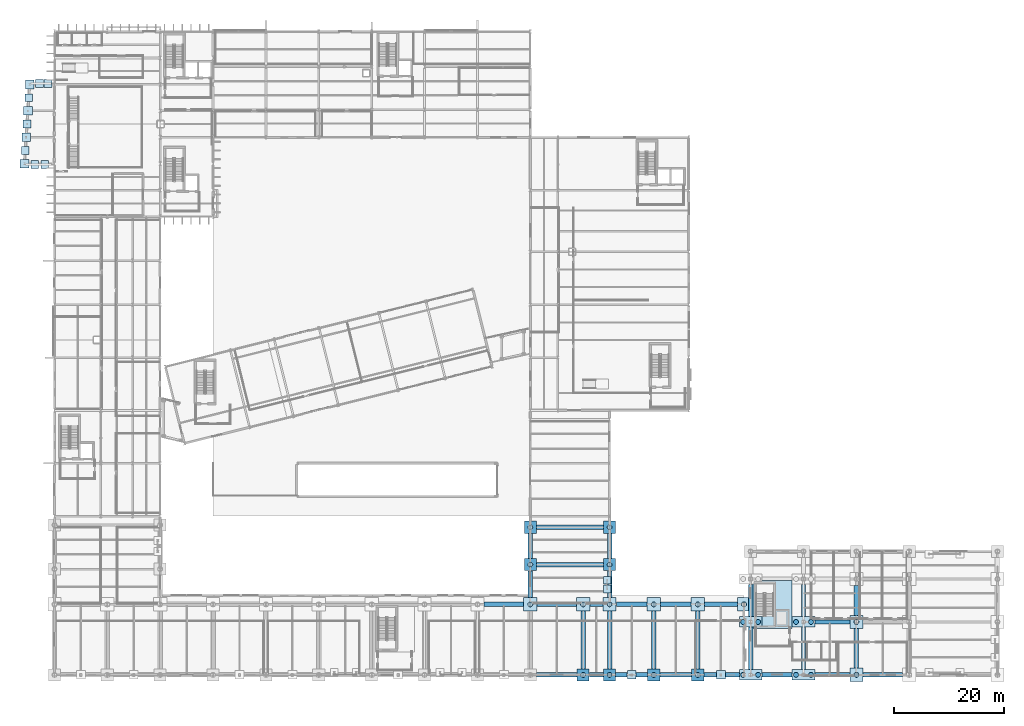
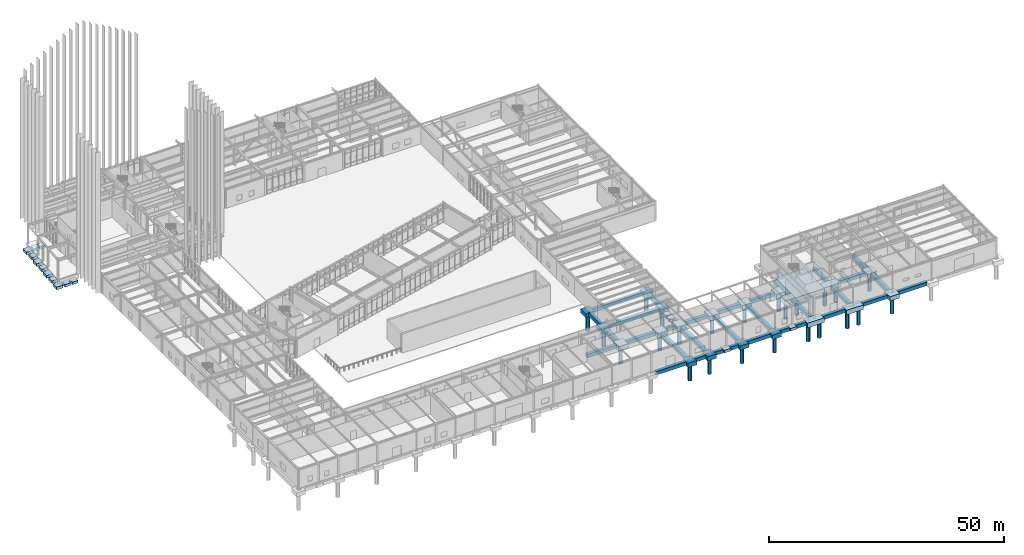
# One storey, part 2 of 109: 69 footings, 24 piles.
"""IFC4 building model written with IfcOpenShell, lengths in metres."""

from ifc_helpers import new_model, si_unit, direction, frame, origin, origin_2d, place, context, subcontext, project, spatial, polyline, rectangle, circle, outline, extrude, material, material_profile, profile_set, type_object, element, save


model = new_model("IFC4")

# Units and contexts
model_context = context("Model", 3, precision=1e-05, world=origin(), true_north=direction((0.0, 1.0)))
body_context = subcontext(model_context, "Body", "Model", "MODEL_VIEW")
ifc_project = project(units=[si_unit("LENGTHUNIT", "METRE"), si_unit("AREAUNIT", "SQUARE_METRE"), si_unit("VOLUMEUNIT", "CUBIC_METRE"), si_unit("PLANEANGLEUNIT", "RADIAN"), si_unit("MASSUNIT", "GRAM", prefix="KILO")], contexts=[model_context])

# Site, building, storey
site_placement = place(None, origin())
site = spatial("IfcSite", under=ifc_project, at=site_placement, CompositionType="ELEMENT")
building_placement = place(site_placement, origin())
building = spatial("IfcBuilding", under=site, at=building_placement, Name="Nordkorset Police Headquarters", CompositionType="ELEMENT")
storey_placement = place(building_placement, origin())
storey = spatial("IfcBuildingStorey", under=building, at=storey_placement, Name="L00", CompositionType="ELEMENT", Elevation=0.0)

# Piles
ifc_material_1 = material(Name="Concrete C45/55", Category="concrete")
ifc_material_profile = material_profile(ifc_material_1, circle(Radius=0.449951171875, at=origin_2d()), Name="PILE D900")
ifc_profile_set = profile_set([ifc_material_profile], Name="Concrete C45/55")
pile_type = type_object("IfcPileType", Name="Bored_PILE_D900", PredefinedType="BORED", material=ifc_profile_set)
for number, where, z_axis, x_axis, name in (
    (1, (125.0400390625, 0.0, -1.3701171875), (0.0, 0.0, -1.0), (1.0, 0.0, 0.0), "Rock-Socketed Bored Pile V6_Y0_0-1"),
    (2, (127.760009765625, 0.0, -1.3701171875), (0.0, 0.0, -1.0), (1.0, 0.0, 0.0), "Rock-Socketed Bored Pile V6_Y0_0-2"),
    (3, (125.0400390625, 9.60009765625, -1.3701171875), (0.0, 0.0, -1.0), (1.0, 0.0, 0.0), "Rock-Socketed Bored Pile V6_Y1_0-1"),
    (4, (127.760009765625, 9.60009765625, -1.3701171875), (0.0, 0.0, -1.0), (1.0, 0.0, 0.0), "Rock-Socketed Bored Pile V6_Y1_0-2"),
    (5, (134.639892578125, 0.0, -1.3701171875), (0.0, 0.0, -1.0), (1.0, 0.0, 0.0), "Rock-Socketed Bored Pile V6_Y0_1-1"),
    (6, (137.360107421875, 0.0, -1.3701171875), (0.0, 0.0, -1.0), (1.0, 0.0, 0.0), "Rock-Socketed Bored Pile V6_Y0_1-2"),
    (7, (134.639892578125, 9.60009765625, -1.3701171875), (0.0, 0.0, -1.0), (1.0, 0.0, 0.0), "Rock-Socketed Bored Pile V6_Y1_1-1"),
    (8, (137.360107421875, 9.60009765625, -1.3701171875), (0.0, 0.0, -1.0), (1.0, 0.0, 0.0), "Rock-Socketed Bored Pile V6_Y1_1-2"),
):
    element("IfcPile", number, at=place(storey_placement, frame(where, z_axis=z_axis, x_axis=x_axis)), inside=storey, type_object=pile_type, Name=name, PredefinedType="BORED", context=body_context, shape_type="SweptSolid", body=[
        extrude(circle(Radius=0.449951171875, at=origin_2d()), origin(), (0.0, 0.0, 1.0), 4.22998046875),
    ])
for number, where, z_axis, x_axis, name in (
    (9, (145.60009765625, 0.0, -1.320068359375), (0.0, 0.0, -1.0), (1.0, 0.0, 0.0), "Rock-Socketed Bored Pile V6_Y0_2-1"),
    (10, (145.60009765625, 9.60009765625, -1.320068359375), (0.0, 0.0, -1.0), (1.0, 0.0, 0.0), "Rock-Socketed Bored Pile V6_Y1_2-1"),
    (11, (86.39990234375, 12.800048828125, -1.320068359375), (0.0, 0.0, -1.0), (1.0, 0.0, 0.0), "Rock-Socketed Bored Pile V7_S1_9-1"),
):
    element("IfcPile", number, at=place(storey_placement, frame(where, z_axis=z_axis, x_axis=x_axis)), inside=storey, type_object=pile_type, Name=name, PredefinedType="BORED", context=body_context, shape_type="SweptSolid", body=[
        extrude(circle(Radius=0.449951171875, at=origin_2d()), origin(), (0.0, 0.0, 1.0), 4.280029296875),
    ])
pile_1_placement = place(storey_placement, frame((96.0, 0.0, -1.27001953125), z_axis=(0.0, 0.0, -1.0), x_axis=(1.0, 0.0, 0.0)))
element("IfcPile", 12, at=pile_1_placement, inside=storey, type_object=pile_type, Name="Rock-Socketed Bored Pile V7_S0_10-1", PredefinedType="BORED", context=body_context, shape_type="SweptSolid", body=[
    extrude(circle(Radius=0.449951171875, at=origin_2d()), origin(), (0.0, 0.0, 1.0), 4.330078125),
])
pile_2_placement = place(storey_placement, frame((96.0, 12.800048828125, -1.320068359375), z_axis=(0.0, 0.0, -1.0), x_axis=(1.0, 0.0, 0.0)))
element("IfcPile", 13, at=pile_2_placement, inside=storey, type_object=pile_type, Name="Rock-Socketed Bored Pile V7_S1_10-1", PredefinedType="BORED", context=body_context, shape_type="SweptSolid", body=[
    extrude(circle(Radius=0.449951171875, at=origin_2d()), origin(), (0.0, 0.0, 1.0), 4.280029296875),
])
pile_3_placement = place(storey_placement, frame((100.800048828125, 0.0, -1.27001953125), z_axis=(0.0, 0.0, -1.0), x_axis=(1.0, 0.0, 0.0)))
element("IfcPile", 14, at=pile_3_placement, inside=storey, type_object=pile_type, Name="Rock-Socketed Bored Pile V7_S0_11-1", PredefinedType="BORED", context=body_context, shape_type="SweptSolid", body=[
    extrude(circle(Radius=0.449951171875, at=origin_2d()), origin(), (0.0, 0.0, 1.0), 4.330078125),
])
pile_4_placement = place(storey_placement, frame((100.800048828125, 12.800048828125, -1.320068359375), z_axis=(0.0, 0.0, -1.0), x_axis=(1.0, 0.0, 0.0)))
element("IfcPile", 15, at=pile_4_placement, inside=storey, type_object=pile_type, Name="Rock-Socketed Bored Pile V7_S1_11-1", PredefinedType="BORED", context=body_context, shape_type="SweptSolid", body=[
    extrude(circle(Radius=0.449951171875, at=origin_2d()), origin(), (0.0, 0.0, 1.0), 4.280029296875),
])
pile_5_placement = place(storey_placement, frame((108.800048828125, 0.0, -1.27001953125), z_axis=(0.0, 0.0, -1.0), x_axis=(1.0, 0.0, 0.0)))
element("IfcPile", 16, at=pile_5_placement, inside=storey, type_object=pile_type, Name="Rock-Socketed Bored Pile V7_S0_12-1", PredefinedType="BORED", context=body_context, shape_type="SweptSolid", body=[
    extrude(circle(Radius=0.449951171875, at=origin_2d()), origin(), (0.0, 0.0, 1.0), 4.330078125),
])
pile_6_placement = place(storey_placement, frame((108.800048828125, 12.800048828125, -1.320068359375), z_axis=(0.0, 0.0, -1.0), x_axis=(1.0, 0.0, 0.0)))
element("IfcPile", 17, at=pile_6_placement, inside=storey, type_object=pile_type, Name="Rock-Socketed Bored Pile V7_S1_12-1", PredefinedType="BORED", context=body_context, shape_type="SweptSolid", body=[
    extrude(circle(Radius=0.449951171875, at=origin_2d()), origin(), (0.0, 0.0, 1.0), 4.280029296875),
])
pile_7_placement = place(storey_placement, frame((116.800048828125, 0.0, -1.27001953125), z_axis=(0.0, 0.0, -1.0), x_axis=(1.0, 0.0, 0.0)))
element("IfcPile", 18, at=pile_7_placement, inside=storey, type_object=pile_type, Name="Rock-Socketed Bored Pile V7_S0_13-1", PredefinedType="BORED", context=body_context, shape_type="SweptSolid", body=[
    extrude(circle(Radius=0.449951171875, at=origin_2d()), origin(), (0.0, 0.0, 1.0), 4.330078125),
])
for number, where, z_axis, x_axis, name in (
    (19, (116.800048828125, 12.800048828125, -1.320068359375), (0.0, 0.0, -1.0), (1.0, 0.0, 0.0), "Rock-Socketed Bored Pile V7_S1_13-1"),
    (20, (125.199951171875, 12.800048828125, -1.320068359375), (0.0, 0.0, -1.0), (1.0, 0.0, 0.0), "Rock-Socketed Bored Pile V7_S1_14-1"),
):
    element("IfcPile", number, at=place(storey_placement, frame(where, z_axis=z_axis, x_axis=x_axis)), inside=storey, type_object=pile_type, Name=name, PredefinedType="BORED", context=body_context, shape_type="SweptSolid", body=[
        extrude(circle(Radius=0.449951171875, at=origin_2d()), origin(), (0.0, 0.0, 1.0), 4.280029296875),
    ])
for number, where, z_axis, x_axis, name in (
    (21, (86.39990234375, 20.0, -1.27001953125), (0.0, 0.0, -1.0), (1.0, 0.0, 0.0), "Rock-Socketed Bored Pile V7_EC_0_200-1"),
    (22, (100.800048828125, 20.0, -1.27001953125), (0.0, 0.0, -1.0), (1.0, 0.0, 0.0), "Rock-Socketed Bored Pile V7_EC_1_200-1"),
    (23, (86.39990234375, 26.800048828125, -1.27001953125), (0.0, 0.0, -1.0), (1.0, 0.0, 0.0), "Rock-Socketed Bored Pile V7_EC_0_268-1"),
    (24, (100.800048828125, 26.800048828125, -1.27001953125), (0.0, 0.0, -1.0), (1.0, 0.0, 0.0), "Rock-Socketed Bored Pile V7_EC_1_268-1"),
):
    element("IfcPile", number, at=place(storey_placement, frame(where, z_axis=z_axis, x_axis=x_axis)), inside=storey, type_object=pile_type, Name=name, PredefinedType="BORED", context=body_context, shape_type="SweptSolid", body=[
        extrude(circle(Radius=0.449951171875, at=origin_2d()), origin(), (0.0, 0.0, 1.0), 4.330078125),
    ])

# Footings
ifc_material_2 = material(Name="Concrete C35/45", Category="concrete")
footing_type_1 = type_object("IfcFootingType", Name="Cap_2200x2200x1100", PredefinedType="PILE_CAP", material=ifc_material_2)
for number, where, z_axis, x_axis, name in (
    (25, (96.0, 0.0, -1.3701171875), (0.0, 0.0, 1.0), (1.0, 0.0, 0.0), "Reinforced Concrete Pile Cap V7_S0_10"),
    (26, (100.800048828125, 0.0, -1.3701171875), (0.0, 0.0, 1.0), (1.0, 0.0, 0.0), "Reinforced Concrete Pile Cap V7_S0_11"),
    (27, (108.800048828125, 0.0, -1.3701171875), (0.0, 0.0, 1.0), (1.0, 0.0, 0.0), "Reinforced Concrete Pile Cap V7_S0_12"),
    (28, (116.800048828125, 0.0, -1.3701171875), (0.0, 0.0, 1.0), (1.0, 0.0, 0.0), "Reinforced Concrete Pile Cap V7_S0_13"),
    (29, (86.39990234375, 20.0, -1.3701171875), (0.0, 0.0, 1.0), (1.0, 0.0, 0.0), "Reinforced Concrete Pile Cap V7_EC_0_200"),
    (30, (100.800048828125, 20.0, -1.3701171875), (0.0, 0.0, 1.0), (1.0, 0.0, 0.0), "Reinforced Concrete Pile Cap V7_EC_1_200"),
    (31, (86.39990234375, 26.800048828125, -1.3701171875), (0.0, 0.0, 1.0), (1.0, 0.0, 0.0), "Reinforced Concrete Pile Cap V7_EC_0_268"),
    (32, (100.800048828125, 26.800048828125, -1.3701171875), (0.0, 0.0, 1.0), (1.0, 0.0, 0.0), "Reinforced Concrete Pile Cap V7_EC_1_268"),
):
    element("IfcFooting", number, at=place(storey_placement, frame(where, z_axis=z_axis, x_axis=x_axis)), inside=storey, type_object=footing_type_1, Name=name, PredefinedType="PILE_CAP", context=body_context, shape_type="SweptSolid", body=[
        extrude(rectangle(XDim=2.199951171875, YDim=2.199951171875, at=origin_2d()), origin(), (0.0, 0.0, 1.0), 1.10009765625),
    ])
ifc_material_3 = material(Name="Concrete C35/45", Category="concrete")
footing_type_2 = type_object("IfcFootingType", Name="Cap_2400x2400x1150", PredefinedType="PILE_CAP", material=ifc_material_3)
for number, where, z_axis, x_axis, name in (
    (33, (145.60009765625, 0.0, -1.419921875), (0.0, 0.0, 1.0), (1.0, 0.0, 0.0), "Reinforced Concrete Pile Cap V6_Y0_2"),
    (34, (145.60009765625, 9.60009765625, -1.419921875), (0.0, 0.0, 1.0), (1.0, 0.0, 0.0), "Reinforced Concrete Pile Cap V6_Y1_2"),
    (35, (86.39990234375, 12.800048828125, -1.419921875), (0.0, 0.0, 1.0), (1.0, 0.0, 0.0), "Reinforced Concrete Pile Cap V7_S1_9"),
    (36, (96.0, 12.800048828125, -1.419921875), (0.0, 0.0, 1.0), (1.0, 0.0, 0.0), "Reinforced Concrete Pile Cap V7_S1_10"),
    (37, (100.800048828125, 12.800048828125, -1.419921875), (0.0, 0.0, 1.0), (1.0, 0.0, 0.0), "Reinforced Concrete Pile Cap V7_S1_11"),
    (38, (108.800048828125, 12.800048828125, -1.419921875), (0.0, 0.0, 1.0), (1.0, 0.0, 0.0), "Reinforced Concrete Pile Cap V7_S1_12"),
    (39, (116.800048828125, 12.800048828125, -1.419921875), (0.0, 0.0, 1.0), (1.0, 0.0, 0.0), "Reinforced Concrete Pile Cap V7_S1_13"),
    (40, (125.199951171875, 12.800048828125, -1.419921875), (0.0, 0.0, 1.0), (1.0, 0.0, 0.0), "Reinforced Concrete Pile Cap V7_S1_14"),
):
    element("IfcFooting", number, at=place(storey_placement, frame(where, z_axis=z_axis, x_axis=x_axis)), inside=storey, type_object=footing_type_2, Name=name, PredefinedType="PILE_CAP", context=body_context, shape_type="SweptSolid", body=[
        extrude(rectangle(XDim=2.39990234375, YDim=2.39990234375, at=origin_2d()), origin(), (0.0, 0.0, 1.0), 1.14990234375),
    ])
ifc_material_4 = material(Name="Concrete C35/45", Category="concrete")
footing_type_3 = type_object("IfcFootingType", Name="Cap_3800x1900x1200", PredefinedType="PILE_CAP", material=ifc_material_4)
for number, where, z_axis, x_axis, name in (
    (41, (126.39990234375, 0.0, -1.47021484375), (0.0, 0.0, 1.0), (1.0, 0.0, 0.0), "Reinforced Concrete Pile Cap V6_Y0_0"),
    (42, (126.39990234375, 9.60009765625, -1.47021484375), (0.0, 0.0, 1.0), (1.0, 0.0, 0.0), "Reinforced Concrete Pile Cap V6_Y1_0"),
    (43, (136.0, 0.0, -1.47021484375), (0.0, 0.0, 1.0), (1.0, 0.0, 0.0), "Reinforced Concrete Pile Cap V6_Y0_1"),
    (44, (136.0, 9.60009765625, -1.47021484375), (0.0, 0.0, 1.0), (1.0, 0.0, 0.0), "Reinforced Concrete Pile Cap V6_Y1_1"),
):
    element("IfcFooting", number, at=place(storey_placement, frame(where, z_axis=z_axis, x_axis=x_axis)), inside=storey, type_object=footing_type_3, Name=name, PredefinedType="PILE_CAP", context=body_context, shape_type="SweptSolid", body=[
        extrude(rectangle(XDim=4.10009765625, YDim=1.89990234375, at=origin_2d()), origin(), (0.0, 0.0, 1.0), 1.199951171875),
    ])
ifc_material_5 = material(Name="Concrete C35/45", Category="concrete")
footing_type_4 = type_object("IfcFootingType", Name="Pad_1400x1400x650", PredefinedType="PAD_FOOTING", material=ifc_material_5)
for number, where, z_axis, x_axis, name in (
    (45, (100.35009765625, 15.60009765625, -0.919921875), (0.0, 0.0, 1.0), (1.0, 0.0, 0.0), "Portal Post Pad LNT-V7-E-0"),
    (46, (100.35009765625, 17.199951171875, -0.919921875), (0.0, 0.0, 1.0), (1.0, 0.0, 0.0), "Portal Post Pad LNT-V7-E-1"),
    (47, (-3.550048828125, 92.64990234375, -2.199951171875), (0.0, 0.0, 1.0), (1.0, 0.0, 0.0), "Forecourt Skirt South Pad Footing 1"),
    (48, (-2.699951171875, 107.35009765625, -2.199951171875), (0.0, 0.0, 1.0), (1.0, 0.0, 0.0), "Forecourt Skirt North Pad Footing 1"),
    (49, (-1.75, 92.64990234375, -2.199951171875), (0.0, 0.0, 1.0), (1.0, 0.0, 0.0), "Forecourt Skirt South Pad Footing 2"),
    (50, (-1.14990234375, 107.35009765625, -2.199951171875), (0.0, 0.0, 1.0), (1.0, 0.0, 0.0), "Forecourt Skirt North Pad Footing 2"),
    (51, (-5.2900390625, 95.199951171875, -2.199951171875), (0.0, 0.0, 1.0), (1.0, 0.0, 0.0), "Forecourt Skirt West Pad Footing 1"),
    (52, (-4.64990234375, 104.800048828125, -2.199951171875), (0.0, 0.0, 1.0), (1.0, 0.0, 0.0), "Forecourt Skirt West Pad Footing 2"),
    (53, (-4.969970703125, 100.0, -2.199951171875), (0.0, 0.0, 1.0), (1.0, 0.0, 0.0), "Canopy Ridge Portico Pad Footing"),
):
    element("IfcFooting", number, at=place(storey_placement, frame(where, z_axis=z_axis, x_axis=x_axis)), inside=storey, type_object=footing_type_4, Name=name, PredefinedType="PAD_FOOTING", context=body_context, shape_type="SweptSolid", body=[
        extrude(rectangle(XDim=1.39990234375, YDim=1.39990234375, at=origin_2d()), origin(), (0.0, 0.0, 1.0), 0.64990234375),
    ])
ifc_material_6 = material(Name="Concrete C35/45", Category="concrete")
footing_type_5 = type_object("IfcFootingType", Name="Pad_1600x1600x700", PredefinedType="PAD_FOOTING", material=ifc_material_6)
for number, where, z_axis, x_axis, name in (
    (54, (104.800048828125, 0.0, -0.97021484375), (0.0, 0.0, 1.0), (1.0, 0.0, 0.0), "Pilaster Pad Footing 07"),
    (55, (121.0, 0.0, -0.97021484375), (0.0, 0.0, 1.0), (1.0, 0.0, 0.0), "Pilaster Pad Footing 08"),
    (56, (-5.449951171875, 92.800048828125, -2.25), (0.0, 0.0, 1.0), (1.0, 0.0, 0.0), "Forecourt Portico Pad Footing 1"),
    (57, (-5.1298828125, 97.60009765625, -2.25), (0.0, 0.0, 1.0), (1.0, 0.0, 0.0), "Forecourt Portico Pad Footing 2"),
    (58, (-4.81005859375, 102.39990234375, -2.25), (0.0, 0.0, 1.0), (1.0, 0.0, 0.0), "Forecourt Portico Pad Footing 3"),
    (59, (-4.489990234375, 107.199951171875, -2.25), (0.0, 0.0, 1.0), (1.0, 0.0, 0.0), "Forecourt Portico Pad Footing 4"),
):
    element("IfcFooting", number, at=place(storey_placement, frame(where, z_axis=z_axis, x_axis=x_axis)), inside=storey, type_object=footing_type_5, Name=name, PredefinedType="PAD_FOOTING", context=body_context, shape_type="SweptSolid", body=[
        extrude(rectangle(XDim=1.60009765625, YDim=1.60009765625, at=origin_2d()), origin(), (0.0, 0.0, 1.0), 0.699951171875),
    ])
ifc_material_7 = material(Name="Concrete C35/45", Category="concrete")
footing_type_6 = type_object("IfcFootingType", Name="Strip_1000x1000", PredefinedType="STRIP_FOOTING", material=ifc_material_7)
footing_1_placement = place(storey_placement, frame((0.0, 0.0, -1.27001953125)))
element("IfcFooting", 60, at=footing_1_placement, inside=storey, type_object=footing_type_6, Name="Custody Core K6 Foundation Strip Footing", PredefinedType="STRIP_FOOTING", context=body_context, shape_type="SweptSolid", body=[
    extrude(outline(polyline([(126.85009765625, 8.449951171875), (133.949951171875, 8.449951171875), (133.949951171875, 17.10009765625), (126.85009765625, 17.10009765625), (126.85009765625, 8.449951171875)])), origin(), (0.0, 0.0, 1.0), 1.0),
])
ifc_material_8 = material(Name="Concrete C35/45", Category="concrete")
footing_type_7 = type_object("IfcFootingType", Name="Strip_800x900", PredefinedType="STRIP_FOOTING", material=ifc_material_8)
footing_2_placement = place(storey_placement, frame((0.0, 0.0, -1.169921875)))
element("IfcFooting", 61, at=footing_2_placement, inside=storey, type_object=footing_type_7, Name="Foundation Tie Strip Footing X-010", PredefinedType="STRIP_FOOTING", context=body_context, shape_type="SweptSolid", body=[
    extrude(outline(polyline([(87.5029296875, -0.39990234375), (94.89697265625, -0.39990234375), (94.89697265625, 0.39990234375), (87.5029296875, 0.39990234375), (87.5029296875, -0.39990234375)])), origin(), (0.0, 0.0, 1.0), 0.89990234375),
])
footing_3_placement = place(storey_placement, frame((0.0, 0.0, -1.169921875)))
element("IfcFooting", 62, at=footing_3_placement, inside=storey, type_object=footing_type_7, Name="Foundation Tie Strip Footing X-011", PredefinedType="STRIP_FOOTING", context=body_context, shape_type="SweptSolid", body=[
    extrude(outline(polyline([(97.10302734375, -0.39990234375), (99.697021484375, -0.39990234375), (99.697021484375, 0.39990234375), (97.10302734375, 0.39990234375), (97.10302734375, -0.39990234375)])), origin(), (0.0, 0.0, 1.0), 0.89990234375),
])
footing_4_placement = place(storey_placement, frame((0.0, 0.0, -1.169921875)))
element("IfcFooting", 63, at=footing_4_placement, inside=storey, type_object=footing_type_7, Name="Foundation Tie Strip Footing X-012", PredefinedType="STRIP_FOOTING", context=body_context, shape_type="SweptSolid", body=[
    extrude(outline(polyline([(101.903076171875, -0.39990234375), (103.9970703125, -0.39990234375), (103.9970703125, 0.39990234375), (101.903076171875, 0.39990234375), (101.903076171875, -0.39990234375)])), origin(), (0.0, 0.0, 1.0), 0.89990234375),
])
footing_5_placement = place(storey_placement, frame((0.0, 0.0, -1.169921875)))
element("IfcFooting", 64, at=footing_5_placement, inside=storey, type_object=footing_type_7, Name="Foundation Tie Strip Footing X-013", PredefinedType="STRIP_FOOTING", context=body_context, shape_type="SweptSolid", body=[
    extrude(outline(polyline([(105.60302734375, -0.39990234375), (107.697021484375, -0.39990234375), (107.697021484375, 0.39990234375), (105.60302734375, 0.39990234375), (105.60302734375, -0.39990234375)])), origin(), (0.0, 0.0, 1.0), 0.89990234375),
])
footing_6_placement = place(storey_placement, frame((0.0, 0.0, -1.169921875)))
element("IfcFooting", 65, at=footing_6_placement, inside=storey, type_object=footing_type_7, Name="Foundation Tie Strip Footing X-014", PredefinedType="STRIP_FOOTING", context=body_context, shape_type="SweptSolid", body=[
    extrude(outline(polyline([(109.903076171875, -0.39990234375), (115.697021484375, -0.39990234375), (115.697021484375, 0.39990234375), (109.903076171875, 0.39990234375), (109.903076171875, -0.39990234375)])), origin(), (0.0, 0.0, 1.0), 0.89990234375),
])
footing_7_placement = place(storey_placement, frame((0.0, 0.0, -1.169921875)))
element("IfcFooting", 66, at=footing_7_placement, inside=storey, type_object=footing_type_7, Name="Foundation Tie Strip Footing X-015", PredefinedType="STRIP_FOOTING", context=body_context, shape_type="SweptSolid", body=[
    extrude(outline(polyline([(117.903076171875, -0.39990234375), (120.197021484375, -0.39990234375), (120.197021484375, 0.39990234375), (117.903076171875, 0.39990234375), (117.903076171875, -0.39990234375)])), origin(), (0.0, 0.0, 1.0), 0.89990234375),
])
footing_8_placement = place(storey_placement, frame((0.0, 0.0, -1.169921875)))
element("IfcFooting", 67, at=footing_8_placement, inside=storey, type_object=footing_type_7, Name="Foundation Tie Strip Footing X-016", PredefinedType="STRIP_FOOTING", context=body_context, shape_type="SweptSolid", body=[
    extrude(outline(polyline([(121.802978515625, -0.39990234375), (124.346923828125, -0.39990234375), (124.346923828125, 0.39990234375), (121.802978515625, 0.39990234375), (121.802978515625, -0.39990234375)])), origin(), (0.0, 0.0, 1.0), 0.89990234375),
])
footing_9_placement = place(storey_placement, frame((0.0, 0.0, -1.169921875)))
element("IfcFooting", 68, at=footing_9_placement, inside=storey, type_object=footing_type_7, Name="Foundation Tie Strip Footing X-017", PredefinedType="STRIP_FOOTING", context=body_context, shape_type="SweptSolid", body=[
    extrude(outline(polyline([(128.452880859375, -0.39990234375), (133.947021484375, -0.39990234375), (133.947021484375, 0.39990234375), (128.452880859375, 0.39990234375), (128.452880859375, -0.39990234375)])), origin(), (0.0, 0.0, 1.0), 0.89990234375),
])
footing_10_placement = place(storey_placement, frame((0.0, 0.0, -1.169921875)))
element("IfcFooting", 69, at=footing_10_placement, inside=storey, type_object=footing_type_7, Name="Foundation Tie Strip Footing X-018", PredefinedType="STRIP_FOOTING", context=body_context, shape_type="SweptSolid", body=[
    extrude(outline(polyline([(138.052978515625, -0.39990234375), (144.39697265625, -0.39990234375), (144.39697265625, 0.39990234375), (138.052978515625, 0.39990234375), (138.052978515625, -0.39990234375)])), origin(), (0.0, 0.0, 1.0), 0.89990234375),
])
footing_11_placement = place(storey_placement, frame((0.0, 0.0, -1.169921875)))
element("IfcFooting", 70, at=footing_11_placement, inside=storey, type_object=footing_type_7, Name="Foundation Tie Strip Footing X-019", PredefinedType="STRIP_FOOTING", context=body_context, shape_type="SweptSolid", body=[
    extrude(outline(polyline([(146.802978515625, -0.39990234375), (153.9970703125, -0.39990234375), (153.9970703125, 0.39990234375), (146.802978515625, 0.39990234375), (146.802978515625, -0.39990234375)])), origin(), (0.0, 0.0, 1.0), 0.89990234375),
])
footing_12_placement = place(storey_placement, frame((0.0, 0.0, -1.169921875)))
element("IfcFooting", 71, at=footing_12_placement, inside=storey, type_object=footing_type_7, Name="Foundation Tie Strip Footing X-021", PredefinedType="STRIP_FOOTING", context=body_context, shape_type="SweptSolid", body=[
    extrude(outline(polyline([(138.052978515625, 9.199951171875), (144.39697265625, 9.199951171875), (144.39697265625, 10.0), (138.052978515625, 10.0), (138.052978515625, 9.199951171875)])), origin(), (0.0, 0.0, 1.0), 0.89990234375),
])
footing_13_placement = place(storey_placement, frame((0.0, 0.0, -1.169921875)))
element("IfcFooting", 72, at=footing_13_placement, inside=storey, type_object=footing_type_7, Name="Foundation Tie Strip Footing X-031", PredefinedType="STRIP_FOOTING", context=body_context, shape_type="SweptSolid", body=[
    extrude(outline(polyline([(78.0029296875, 12.39990234375), (85.197021484375, 12.39990234375), (85.197021484375, 13.199951171875), (78.0029296875, 13.199951171875), (78.0029296875, 12.39990234375)])), origin(), (0.0, 0.0, 1.0), 0.89990234375),
])
footing_14_placement = place(storey_placement, frame((0.0, 0.0, -1.169921875)))
element("IfcFooting", 73, at=footing_14_placement, inside=storey, type_object=footing_type_7, Name="Foundation Tie Strip Footing X-032", PredefinedType="STRIP_FOOTING", context=body_context, shape_type="SweptSolid", body=[
    extrude(outline(polyline([(87.60302734375, 12.39990234375), (94.797119140625, 12.39990234375), (94.797119140625, 13.199951171875), (87.60302734375, 13.199951171875), (87.60302734375, 12.39990234375)])), origin(), (0.0, 0.0, 1.0), 0.89990234375),
])
footing_15_placement = place(storey_placement, frame((0.0, 0.0, -1.169921875)))
element("IfcFooting", 74, at=footing_15_placement, inside=storey, type_object=footing_type_7, Name="Foundation Tie Strip Footing X-033", PredefinedType="STRIP_FOOTING", context=body_context, shape_type="SweptSolid", body=[
    extrude(outline(polyline([(97.202880859375, 12.39990234375), (99.596923828125, 12.39990234375), (99.596923828125, 13.199951171875), (97.202880859375, 13.199951171875), (97.202880859375, 12.39990234375)])), origin(), (0.0, 0.0, 1.0), 0.89990234375),
])
footing_16_placement = place(storey_placement, frame((0.0, 0.0, -1.169921875)))
element("IfcFooting", 75, at=footing_16_placement, inside=storey, type_object=footing_type_7, Name="Foundation Tie Strip Footing X-034", PredefinedType="STRIP_FOOTING", context=body_context, shape_type="SweptSolid", body=[
    extrude(outline(polyline([(102.0029296875, 12.39990234375), (107.596923828125, 12.39990234375), (107.596923828125, 13.199951171875), (102.0029296875, 13.199951171875), (102.0029296875, 12.39990234375)])), origin(), (0.0, 0.0, 1.0), 0.89990234375),
])
footing_17_placement = place(storey_placement, frame((0.0, 0.0, -1.169921875)))
element("IfcFooting", 76, at=footing_17_placement, inside=storey, type_object=footing_type_7, Name="Foundation Tie Strip Footing X-035", PredefinedType="STRIP_FOOTING", context=body_context, shape_type="SweptSolid", body=[
    extrude(outline(polyline([(110.0029296875, 12.39990234375), (115.596923828125, 12.39990234375), (115.596923828125, 13.199951171875), (110.0029296875, 13.199951171875), (110.0029296875, 12.39990234375)])), origin(), (0.0, 0.0, 1.0), 0.89990234375),
])
footing_18_placement = place(storey_placement, frame((0.0, 0.0, -1.169921875)))
element("IfcFooting", 77, at=footing_18_placement, inside=storey, type_object=footing_type_7, Name="Foundation Tie Strip Footing X-036", PredefinedType="STRIP_FOOTING", context=body_context, shape_type="SweptSolid", body=[
    extrude(outline(polyline([(118.0029296875, 12.39990234375), (123.9970703125, 12.39990234375), (123.9970703125, 13.199951171875), (118.0029296875, 13.199951171875), (118.0029296875, 12.39990234375)])), origin(), (0.0, 0.0, 1.0), 0.89990234375),
])
footing_19_placement = place(storey_placement, frame((0.0, 0.0, -1.169921875)))
element("IfcFooting", 78, at=footing_19_placement, inside=storey, type_object=footing_type_7, Name="Foundation Tie Strip Footing X-040", PredefinedType="STRIP_FOOTING", context=body_context, shape_type="SweptSolid", body=[
    extrude(outline(polyline([(87.5029296875, 19.60009765625), (99.697021484375, 19.60009765625), (99.697021484375, 20.39990234375), (87.5029296875, 20.39990234375), (87.5029296875, 19.60009765625)])), origin(), (0.0, 0.0, 1.0), 0.89990234375),
])
footing_20_placement = place(storey_placement, frame((0.0, 0.0, -1.169921875)))
element("IfcFooting", 79, at=footing_20_placement, inside=storey, type_object=footing_type_7, Name="Foundation Tie Strip Footing X-044", PredefinedType="STRIP_FOOTING", context=body_context, shape_type="SweptSolid", body=[
    extrude(outline(polyline([(87.5029296875, 26.39990234375), (99.697021484375, 26.39990234375), (99.697021484375, 27.199951171875), (87.5029296875, 27.199951171875), (87.5029296875, 26.39990234375)])), origin(), (0.0, 0.0, 1.0), 0.89990234375),
])
footing_21_placement = place(storey_placement, frame((0.0, 0.0, -1.169921875)))
element("IfcFooting", 80, at=footing_21_placement, inside=storey, type_object=footing_type_7, Name="Foundation Tie Strip Footing Y-015", PredefinedType="STRIP_FOOTING", context=body_context, shape_type="SweptSolid", body=[
    extrude(outline(polyline([(86.0, 14.0029296875), (86.800048828125, 14.0029296875), (86.800048828125, 18.89697265625), (86.0, 18.89697265625), (86.0, 14.0029296875)])), origin(), (0.0, 0.0, 1.0), 0.89990234375),
])
footing_22_placement = place(storey_placement, frame((0.0, 0.0, -1.169921875)))
element("IfcFooting", 81, at=footing_22_placement, inside=storey, type_object=footing_type_7, Name="Foundation Tie Strip Footing Y-016", PredefinedType="STRIP_FOOTING", context=body_context, shape_type="SweptSolid", body=[
    extrude(outline(polyline([(86.0, 21.10302734375), (86.800048828125, 21.10302734375), (86.800048828125, 25.697021484375), (86.0, 25.697021484375), (86.0, 21.10302734375)])), origin(), (0.0, 0.0, 1.0), 0.89990234375),
])
footing_23_placement = place(storey_placement, frame((0.0, 0.0, -1.169921875)))
element("IfcFooting", 82, at=footing_23_placement, inside=storey, type_object=footing_type_7, Name="Foundation Tie Strip Footing Y-017", PredefinedType="STRIP_FOOTING", context=body_context, shape_type="SweptSolid", body=[
    extrude(outline(polyline([(95.60009765625, 1.10302734375), (96.39990234375, 1.10302734375), (96.39990234375, 11.596923828125), (95.60009765625, 11.596923828125), (95.60009765625, 1.10302734375)])), origin(), (0.0, 0.0, 1.0), 0.89990234375),
])
footing_24_placement = place(storey_placement, frame((0.0, 0.0, -1.169921875)))
element("IfcFooting", 83, at=footing_24_placement, inside=storey, type_object=footing_type_7, Name="Foundation Tie Strip Footing Y-018", PredefinedType="STRIP_FOOTING", context=body_context, shape_type="SweptSolid", body=[
    extrude(outline(polyline([(100.39990234375, 1.10302734375), (101.199951171875, 1.10302734375), (101.199951171875, 11.596923828125), (100.39990234375, 11.596923828125), (100.39990234375, 1.10302734375)])), origin(), (0.0, 0.0, 1.0), 0.89990234375),
])
footing_25_placement = place(storey_placement, frame((0.0, 0.0, -1.169921875)))
element("IfcFooting", 84, at=footing_25_placement, inside=storey, type_object=footing_type_7, Name="Foundation Tie Strip Footing Y-019", PredefinedType="STRIP_FOOTING", context=body_context, shape_type="SweptSolid", body=[
    extrude(outline(polyline([(100.39990234375, 14.0029296875), (101.199951171875, 14.0029296875), (101.199951171875, 18.89697265625), (100.39990234375, 18.89697265625), (100.39990234375, 14.0029296875)])), origin(), (0.0, 0.0, 1.0), 0.89990234375),
])
footing_26_placement = place(storey_placement, frame((0.0, 0.0, -1.169921875)))
element("IfcFooting", 85, at=footing_26_placement, inside=storey, type_object=footing_type_7, Name="Foundation Tie Strip Footing Y-020", PredefinedType="STRIP_FOOTING", context=body_context, shape_type="SweptSolid", body=[
    extrude(outline(polyline([(100.39990234375, 21.10302734375), (101.199951171875, 21.10302734375), (101.199951171875, 25.697021484375), (100.39990234375, 25.697021484375), (100.39990234375, 21.10302734375)])), origin(), (0.0, 0.0, 1.0), 0.89990234375),
])
footing_27_placement = place(storey_placement, frame((0.0, 0.0, -1.169921875)))
element("IfcFooting", 86, at=footing_27_placement, inside=storey, type_object=footing_type_7, Name="Foundation Tie Strip Footing Y-021", PredefinedType="STRIP_FOOTING", context=body_context, shape_type="SweptSolid", body=[
    extrude(outline(polyline([(108.39990234375, 1.10302734375), (109.199951171875, 1.10302734375), (109.199951171875, 11.596923828125), (108.39990234375, 11.596923828125), (108.39990234375, 1.10302734375)])), origin(), (0.0, 0.0, 1.0), 0.89990234375),
])
footing_28_placement = place(storey_placement, frame((0.0, 0.0, -1.169921875)))
element("IfcFooting", 87, at=footing_28_placement, inside=storey, type_object=footing_type_7, Name="Foundation Tie Strip Footing Y-022", PredefinedType="STRIP_FOOTING", context=body_context, shape_type="SweptSolid", body=[
    extrude(outline(polyline([(116.39990234375, 1.10302734375), (117.199951171875, 1.10302734375), (117.199951171875, 11.596923828125), (116.39990234375, 11.596923828125), (116.39990234375, 1.10302734375)])), origin(), (0.0, 0.0, 1.0), 0.89990234375),
])
footing_29_placement = place(storey_placement, frame((0.0, 0.0, -1.169921875)))
element("IfcFooting", 88, at=footing_29_placement, inside=storey, type_object=footing_type_7, Name="Foundation Tie Strip Footing Y-023", PredefinedType="STRIP_FOOTING", context=body_context, shape_type="SweptSolid", body=[
    extrude(outline(polyline([(126.0, 0.952880859375), (126.800048828125, 0.952880859375), (126.800048828125, 8.64697265625), (126.0, 8.64697265625), (126.0, 0.952880859375)])), origin(), (0.0, 0.0, 1.0), 0.89990234375),
])
footing_30_placement = place(storey_placement, frame((0.0, 0.0, -1.169921875)))
element("IfcFooting", 89, at=footing_30_placement, inside=storey, type_object=footing_type_7, Name="Foundation Tie Strip Footing Y-024", PredefinedType="STRIP_FOOTING", context=body_context, shape_type="SweptSolid", body=[
    extrude(outline(polyline([(126.0, 10.552978515625), (126.800048828125, 10.552978515625), (126.800048828125, 16.447021484375), (126.0, 16.447021484375), (126.0, 10.552978515625)])), origin(), (0.0, 0.0, 1.0), 0.89990234375),
])
footing_31_placement = place(storey_placement, frame((0.0, 0.0, -1.169921875)))
element("IfcFooting", 90, at=footing_31_placement, inside=storey, type_object=footing_type_7, Name="Foundation Tie Strip Footing Y-026", PredefinedType="STRIP_FOOTING", context=body_context, shape_type="SweptSolid", body=[
    extrude(outline(polyline([(135.60009765625, 0.952880859375), (136.39990234375, 0.952880859375), (136.39990234375, 8.64697265625), (135.60009765625, 8.64697265625), (135.60009765625, 0.952880859375)])), origin(), (0.0, 0.0, 1.0), 0.89990234375),
])
footing_32_placement = place(storey_placement, frame((0.0, 0.0, -1.169921875)))
element("IfcFooting", 91, at=footing_32_placement, inside=storey, type_object=footing_type_7, Name="Foundation Tie Strip Footing Y-027", PredefinedType="STRIP_FOOTING", context=body_context, shape_type="SweptSolid", body=[
    extrude(outline(polyline([(135.60009765625, 10.552978515625), (136.39990234375, 10.552978515625), (136.39990234375, 16.447021484375), (135.60009765625, 16.447021484375), (135.60009765625, 10.552978515625)])), origin(), (0.0, 0.0, 1.0), 0.89990234375),
])
footing_33_placement = place(storey_placement, frame((0.0, 0.0, -1.169921875)))
element("IfcFooting", 92, at=footing_33_placement, inside=storey, type_object=footing_type_7, Name="Foundation Tie Strip Footing Y-029", PredefinedType="STRIP_FOOTING", context=body_context, shape_type="SweptSolid", body=[
    extrude(outline(polyline([(145.199951171875, 1.202880859375), (146.0, 1.202880859375), (146.0, 8.39697265625), (145.199951171875, 8.39697265625), (145.199951171875, 1.202880859375)])), origin(), (0.0, 0.0, 1.0), 0.89990234375),
])
footing_34_placement = place(storey_placement, frame((0.0, 0.0, -1.169921875)))
element("IfcFooting", 93, at=footing_34_placement, inside=storey, type_object=footing_type_7, Name="Foundation Tie Strip Footing Y-030", PredefinedType="STRIP_FOOTING", context=body_context, shape_type="SweptSolid", body=[
    extrude(outline(polyline([(145.199951171875, 10.802978515625), (146.0, 10.802978515625), (146.0, 16.197021484375), (145.199951171875, 16.197021484375), (145.199951171875, 10.802978515625)])), origin(), (0.0, 0.0, 1.0), 0.89990234375),
])

save(model, "model.ifc")
